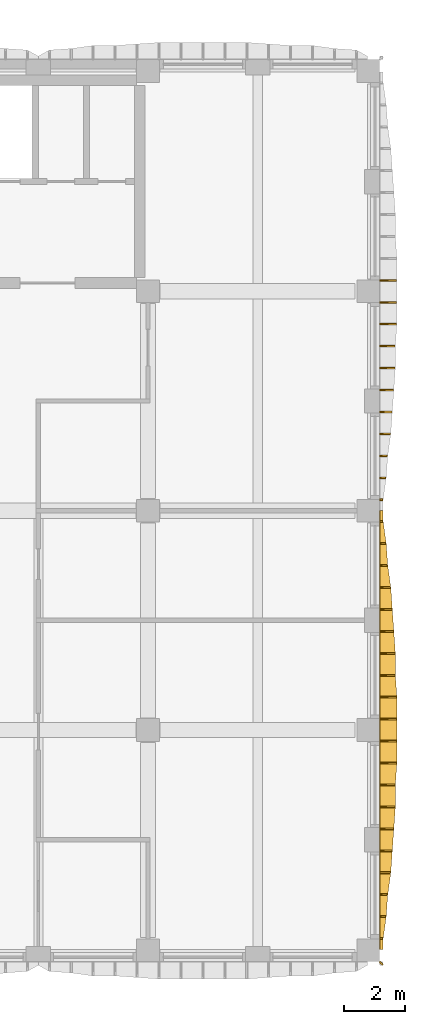
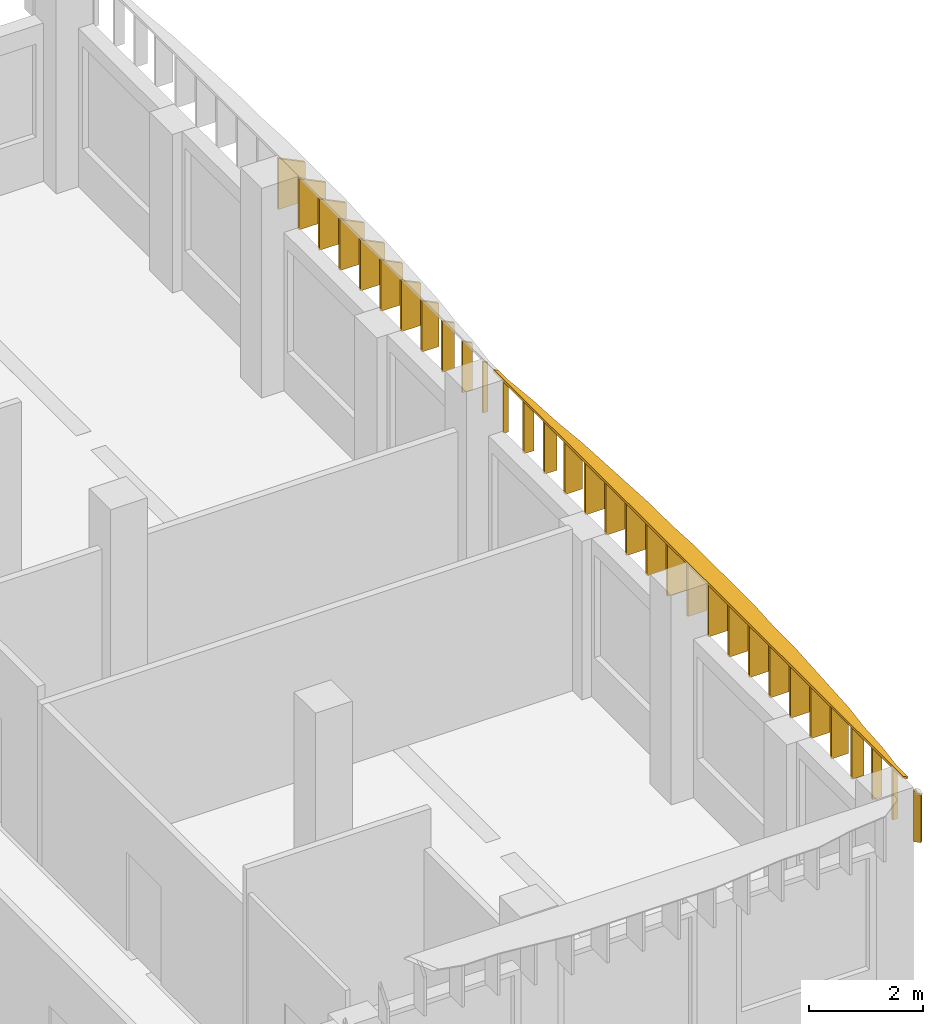
# One storey, part 39 of 58: 33 shading devices.
"""IFC4 building model written with IfcOpenShell, lengths in metres."""

from ifc_helpers import new_model, si_unit, direction, frame, origin, place, context, subcontext, project, spatial, polyline, outline, extrude, material, layer, layer_set, type_object, element, save


model = new_model("IFC4")

# Units and contexts
model_context = context("Model", 3, precision=1e-05, world=origin(), true_north=direction((0.0, 1.0)))
body_context = subcontext(model_context, "Body", "Model", "MODEL_VIEW")
ifc_project = project(units=[si_unit("LENGTHUNIT", "METRE"), si_unit("AREAUNIT", "SQUARE_METRE"), si_unit("VOLUMEUNIT", "CUBIC_METRE"), si_unit("PLANEANGLEUNIT", "RADIAN"), si_unit("MASSUNIT", "GRAM", prefix="KILO")], contexts=[model_context])

# Site, building, storey
site_placement = place(None, origin())
site = spatial("IfcSite", under=ifc_project, at=site_placement, CompositionType="ELEMENT")
building_placement = place(site_placement, origin())
building = spatial("IfcBuilding", under=site, at=building_placement, Name="Ussher Court Research Institute", CompositionType="ELEMENT")
storey_placement = place(building_placement, frame((0.0, 0.0, 9.89990234375)))
storey = spatial("IfcBuildingStorey", under=building, at=storey_placement, Name="L02", CompositionType="ELEMENT", Elevation=9.89990234375)

# Shading devices
ifc_material_1 = material(Name="Bronze anodised aluminium", Category="aluminium")
ifc_layer_1 = layer(ifc_material_1, 0.050048828125)
ifc_layer_set_1 = layer_set([ifc_layer_1], Name="Bronze anodised aluminium")
shading_device_type_1 = type_object("IfcShadingDeviceType", Name="Brim blade 100 mm deep 1100 mm high canted 26 deg wet", PredefinedType="USERDEFINED", material=ifc_layer_set_1)
for number, where, z_axis, x_axis, name in (
    (1, (104.199951171875, 18.760009765625, 3.35009765625), (0.0, 0.0, 1.0), (1.0, 0.0, 0.0), "Brim blade BS10 L02"),
    (2, (104.199951171875, 18.0400390625, 3.35009765625), (0.0, 0.0, 1.0), (1.0, 0.0, 0.0), "Brim blade BS10 L02"),
    (3, (104.199951171875, 4.360107421875, 3.35009765625), (0.0, 0.0, 1.0), (1.0, 0.0, 0.0), "Brim blade BS10 L02"),
):
    element("IfcShadingDevice", number, at=place(storey_placement, frame(where, z_axis=z_axis, x_axis=x_axis)), inside=storey, type_object=shading_device_type_1, Name=name, ObjectType="BLADE", PredefinedType="USERDEFINED", context=body_context, shape_type="SweptSolid", body=[
        extrude(outline(polyline([(0.0, 0.0), (0.10009765625, 0.0), (0.10009765625, 1.05126953125), (0.0, 1.10009765625), (0.0, 0.0)])), frame((0.0, 0.02490234375, 0.0), z_axis=(0.0, -1.0, 0.0), x_axis=(1.0, 0.0, 0.0)), (0.0, 0.0, 1.0), 0.050048828125),
    ])
ifc_material_2 = material(Name="Bronze anodised aluminium", Category="aluminium")
ifc_layer_2 = layer(ifc_material_2, 0.050048828125)
ifc_layer_set_2 = layer_set([ifc_layer_2], Name="Bronze anodised aluminium")
shading_device_type_2 = type_object("IfcShadingDeviceType", Name="Brim blade 200 mm deep 1100 mm high canted 26 deg wet", PredefinedType="USERDEFINED", material=ifc_layer_set_2)
for number, where, z_axis, x_axis, name in (
    (4, (104.199951171875, 19.47998046875, 3.35009765625), (0.0, 0.0, 1.0), (1.0, 0.0, 0.0), "Brim blade BS08 L02"),
    (5, (104.199951171875, 17.320068359375, 3.35009765625), (0.0, 0.0, 1.0), (1.0, 0.0, 0.0), "Brim blade BS08 L02"),
    (6, (104.199951171875, 5.080078125, 3.35009765625), (0.0, 0.0, 1.0), (1.0, 0.0, 0.0), "Brim blade BS08 L02"),
):
    element("IfcShadingDevice", number, at=place(storey_placement, frame(where, z_axis=z_axis, x_axis=x_axis)), inside=storey, type_object=shading_device_type_2, Name=name, ObjectType="BLADE", PredefinedType="USERDEFINED", context=body_context, shape_type="SweptSolid", body=[
        extrude(outline(polyline([(0.0, 0.0), (0.199951171875, 0.0), (0.199951171875, 1.00244140625), (0.0, 1.10009765625), (0.0, 0.0)])), frame((0.0, 0.02490234375, 0.0), z_axis=(0.0, -1.0, 0.0), x_axis=(1.0, 0.0, 0.0)), (0.0, 0.0, 1.0), 0.050048828125),
    ])
ifc_material_3 = material(Name="Bronze anodised aluminium", Category="aluminium")
ifc_layer_3 = layer(ifc_material_3, 0.050048828125)
ifc_layer_set_3 = layer_set([ifc_layer_3], Name="Bronze anodised aluminium")
shading_device_type_3 = type_object("IfcShadingDeviceType", Name="Brim blade 250 mm deep 1100 mm high canted 26 deg wet", PredefinedType="USERDEFINED", material=ifc_layer_set_3)
for number, where, z_axis, x_axis, name in (
    (7, (104.199951171875, 20.199951171875, 3.35009765625), (0.0, 0.0, 1.0), (1.0, 0.0, 0.0), "Brim blade BS07 L02"),
    (8, (104.199951171875, 16.60009765625, 3.35009765625), (0.0, 0.0, 1.0), (1.0, 0.0, 0.0), "Brim blade BS07 L02"),
    (9, (104.199951171875, 5.800048828125, 3.35009765625), (0.0, 0.0, 1.0), (1.0, 0.0, 0.0), "Brim blade BS07 L02"),
):
    element("IfcShadingDevice", number, at=place(storey_placement, frame(where, z_axis=z_axis, x_axis=x_axis)), inside=storey, type_object=shading_device_type_3, Name=name, ObjectType="BLADE", PredefinedType="USERDEFINED", context=body_context, shape_type="SweptSolid", body=[
        extrude(outline(polyline([(0.0, 0.0), (0.25, 0.0), (0.25, 0.97802734375), (0.0, 1.10009765625), (0.0, 0.0)])), frame((0.0, 0.02490234375, 0.0), z_axis=(0.0, -1.0, 0.0), x_axis=(1.0, 0.0, 0.0)), (0.0, 0.0, 1.0), 0.050048828125),
    ])
ifc_material_4 = material(Name="Bronze anodised aluminium", Category="aluminium")
ifc_layer_4 = layer(ifc_material_4, 0.050048828125)
ifc_layer_set_4 = layer_set([ifc_layer_4], Name="Bronze anodised aluminium")
shading_device_type_4 = type_object("IfcShadingDeviceType", Name="Brim blade 350 mm deep 1100 mm high canted 26 deg wet", PredefinedType="USERDEFINED", material=ifc_layer_set_4)
for number, where, z_axis, x_axis, name in (
    (10, (104.199951171875, 20.919921875, 3.35009765625), (0.0, 0.0, 1.0), (1.0, 0.0, 0.0), "Brim blade BS05 L02"),
    (11, (104.199951171875, 15.8798828125, 3.35009765625), (0.0, 0.0, 1.0), (1.0, 0.0, 0.0), "Brim blade BS05 L02"),
    (12, (104.199951171875, 6.52001953125, 3.35009765625), (0.0, 0.0, 1.0), (1.0, 0.0, 0.0), "Brim blade BS05 L02"),
):
    element("IfcShadingDevice", number, at=place(storey_placement, frame(where, z_axis=z_axis, x_axis=x_axis)), inside=storey, type_object=shading_device_type_4, Name=name, ObjectType="BLADE", PredefinedType="USERDEFINED", context=body_context, shape_type="SweptSolid", body=[
        extrude(outline(polyline([(0.0, 0.0), (0.35009765625, 0.0), (0.35009765625, 0.92919921875), (0.0, 1.10009765625), (0.0, 0.0)])), frame((0.0, 0.02490234375, 0.0), z_axis=(0.0, -1.0, 0.0), x_axis=(1.0, 0.0, 0.0)), (0.0, 0.0, 1.0), 0.050048828125),
    ])
ifc_material_5 = material(Name="Bronze anodised aluminium", Category="aluminium")
ifc_layer_5 = layer(ifc_material_5, 0.050048828125)
ifc_layer_set_5 = layer_set([ifc_layer_5], Name="Bronze anodised aluminium")
shading_device_type_5 = type_object("IfcShadingDeviceType", Name="Brim blade 400 mm deep 1100 mm high canted 26 deg wet", PredefinedType="USERDEFINED", material=ifc_layer_set_5)
for number, where, z_axis, x_axis, name in (
    (13, (104.199951171875, 21.639892578125, 3.35009765625), (0.0, 0.0, 1.0), (1.0, 0.0, 0.0), "Brim blade BS04 L02"),
    (14, (104.199951171875, 15.159912109375, 3.35009765625), (0.0, 0.0, 1.0), (1.0, 0.0, 0.0), "Brim blade BS04 L02"),
    (15, (104.199951171875, 7.239990234375, 3.35009765625), (0.0, 0.0, 1.0), (1.0, 0.0, 0.0), "Brim blade BS04 L02"),
):
    element("IfcShadingDevice", number, at=place(storey_placement, frame(where, z_axis=z_axis, x_axis=x_axis)), inside=storey, type_object=shading_device_type_5, Name=name, ObjectType="BLADE", PredefinedType="USERDEFINED", context=body_context, shape_type="SweptSolid", body=[
        extrude(outline(polyline([(0.0, 0.0), (0.400146484375, 0.0), (0.39990234375, 0.90478515625), (0.0, 1.10009765625), (0.0, 0.0)])), frame((0.0, 0.02490234375, 0.0), z_axis=(0.0, -1.0, 0.0), x_axis=(1.0, 0.0, 0.0)), (0.0, 0.0, 1.0), 0.050048828125),
    ])
ifc_material_6 = material(Name="Bronze anodised aluminium", Category="aluminium")
ifc_layer_6 = layer(ifc_material_6, 0.050048828125)
ifc_layer_set_6 = layer_set([ifc_layer_6], Name="Bronze anodised aluminium")
shading_device_type_6 = type_object("IfcShadingDeviceType", Name="Brim blade 450 mm deep 1100 mm high canted 26 deg wet", PredefinedType="USERDEFINED", material=ifc_layer_set_6)
for number, where, z_axis, x_axis, name in (
    (16, (104.199951171875, 22.360107421875, 3.35009765625), (0.0, 0.0, 1.0), (1.0, 0.0, 0.0), "Brim blade BS03 L02"),
    (17, (104.199951171875, 14.43994140625, 3.35009765625), (0.0, 0.0, 1.0), (1.0, 0.0, 0.0), "Brim blade BS03 L02"),
    (18, (104.199951171875, 7.9599609375, 3.35009765625), (0.0, 0.0, 1.0), (1.0, 0.0, 0.0), "Brim blade BS03 L02"),
):
    element("IfcShadingDevice", number, at=place(storey_placement, frame(where, z_axis=z_axis, x_axis=x_axis)), inside=storey, type_object=shading_device_type_6, Name=name, ObjectType="BLADE", PredefinedType="USERDEFINED", context=body_context, shape_type="SweptSolid", body=[
        extrude(outline(polyline([(0.0, 0.0), (0.449951171875, 0.0), (0.449951171875, 0.880615234375), (0.0, 1.10009765625), (0.0, 0.0)])), frame((0.0, 0.02490234375, 0.0), z_axis=(0.0, -1.0, 0.0), x_axis=(1.0, 0.0, 0.0)), (0.0, 0.0, 1.0), 0.050048828125),
    ])
ifc_material_7 = material(Name="Bronze anodised aluminium", Category="aluminium")
ifc_layer_7 = layer(ifc_material_7, 0.050048828125)
ifc_layer_set_7 = layer_set([ifc_layer_7], Name="Bronze anodised aluminium")
shading_device_type_7 = type_object("IfcShadingDeviceType", Name="Brim blade 500 mm deep 1100 mm high canted 26 deg wet", PredefinedType="USERDEFINED", material=ifc_layer_set_7)
for number, where, z_axis, x_axis, name in (
    (19, (104.199951171875, 23.800048828125, 3.35009765625), (0.0, 0.0, 1.0), (1.0, 0.0, 0.0), "Brim blade BS02 L02"),
    (20, (104.199951171875, 23.080078125, 3.35009765625), (0.0, 0.0, 1.0), (1.0, 0.0, 0.0), "Brim blade BS02 L02"),
    (21, (104.199951171875, 13.719970703125, 3.35009765625), (0.0, 0.0, 1.0), (1.0, 0.0, 0.0), "Brim blade BS02 L02"),
    (22, (104.199951171875, 13.0, 3.35009765625), (0.0, 0.0, 1.0), (1.0, 0.0, 0.0), "Brim blade BS02 L02"),
    (23, (104.199951171875, 9.39990234375, 3.35009765625), (0.0, 0.0, 1.0), (1.0, 0.0, 0.0), "Brim blade BS02 L02"),
    (24, (104.199951171875, 8.679931640625, 3.35009765625), (0.0, 0.0, 1.0), (1.0, 0.0, 0.0), "Brim blade BS02 L02"),
):
    element("IfcShadingDevice", number, at=place(storey_placement, frame(where, z_axis=z_axis, x_axis=x_axis)), inside=storey, type_object=shading_device_type_7, Name=name, ObjectType="BLADE", PredefinedType="USERDEFINED", context=body_context, shape_type="SweptSolid", body=[
        extrude(outline(polyline([(0.0, 0.0), (0.5, 0.0), (0.5, 0.856201171875), (0.0, 1.10009765625), (0.0, 0.0)])), frame((0.0, 0.02490234375, 0.0), z_axis=(0.0, -1.0, 0.0), x_axis=(1.0, 0.0, 0.0)), (0.0, 0.0, 1.0), 0.050048828125),
    ])
ifc_material_8 = material(Name="Bronze anodised aluminium", Category="aluminium")
ifc_layer_8 = layer(ifc_material_8, 0.050048828125)
ifc_layer_set_8 = layer_set([ifc_layer_8], Name="Bronze anodised aluminium")
shading_device_type_8 = type_object("IfcShadingDeviceType", Name="Brim blade 550 mm deep 1100 mm high canted 26 deg wet", PredefinedType="USERDEFINED", material=ifc_layer_set_8)
for number, where, z_axis, x_axis, name in (
    (25, (104.199951171875, 25.9599609375, 3.35009765625), (0.0, 0.0, 1.0), (1.0, 0.0, 0.0), "Brim blade BS01 L02"),
    (26, (104.199951171875, 25.239990234375, 3.35009765625), (0.0, 0.0, 1.0), (1.0, 0.0, 0.0), "Brim blade BS01 L02"),
    (27, (104.199951171875, 24.52001953125, 3.35009765625), (0.0, 0.0, 1.0), (1.0, 0.0, 0.0), "Brim blade BS01 L02"),
    (28, (104.199951171875, 12.280029296875, 3.35009765625), (0.0, 0.0, 1.0), (1.0, 0.0, 0.0), "Brim blade BS01 L02"),
    (29, (104.199951171875, 11.56005859375, 3.35009765625), (0.0, 0.0, 1.0), (1.0, 0.0, 0.0), "Brim blade BS01 L02"),
    (30, (104.199951171875, 10.840087890625, 3.35009765625), (0.0, 0.0, 1.0), (1.0, 0.0, 0.0), "Brim blade BS01 L02"),
    (31, (104.199951171875, 10.1201171875, 3.35009765625), (0.0, 0.0, 1.0), (1.0, 0.0, 0.0), "Brim blade BS01 L02"),
):
    element("IfcShadingDevice", number, at=place(storey_placement, frame(where, z_axis=z_axis, x_axis=x_axis)), inside=storey, type_object=shading_device_type_8, Name=name, ObjectType="BLADE", PredefinedType="USERDEFINED", context=body_context, shape_type="SweptSolid", body=[
        extrude(outline(polyline([(0.0, 0.0), (0.550048828125, 0.0), (0.550048828125, 0.831787109375), (0.0, 1.10009765625), (0.0, 0.0)])), frame((0.0, 0.02490234375, 0.0), z_axis=(0.0, -1.0, 0.0), x_axis=(1.0, 0.0, 0.0)), (0.0, 0.0, 1.0), 0.050048828125),
    ])
ifc_material_9 = material(Name="Bronze anodised aluminium", Category="aluminium")
ifc_layer_9 = layer(ifc_material_9, 0.050048828125)
ifc_layer_set_9 = layer_set([ifc_layer_9], Name="Bronze anodised aluminium")
shading_device_type_9 = type_object("IfcShadingDeviceType", Name="Brim mitre blade 100 mm deep 1100 mm high canted 26 deg wet", PredefinedType="USERDEFINED", material=ifc_layer_set_9)
shading_device_1_placement = place(storey_placement, frame((104.199951171875, 3.60009765625, 3.35009765625), z_axis=(0.0, 0.0, 1.0), x_axis=(0.707106781187, -0.707106781187, 0.0)))
element("IfcShadingDevice", 32, at=shading_device_1_placement, inside=storey, type_object=shading_device_type_9, Name="Brim mitre blade BS18 L02", ObjectType="BLADE", PredefinedType="USERDEFINED", context=body_context, shape_type="SweptSolid", body=[
    extrude(outline(polyline([(0.0, 0.0), (0.1416015625, 0.0), (0.141357421875, 1.00244140625), (0.0, 1.10009765625), (0.0, 0.0)])), frame((0.0, 0.02490234375, 0.0), z_axis=(0.0, -1.0, 0.0), x_axis=(1.0, 0.0, 0.0)), (0.0, 0.0, 1.0), 0.050048828125),
])
ifc_material_10 = material(Name="Bronze anodised aluminium", Category="aluminium")
ifc_layer_10 = layer(ifc_material_10, 0.0400390625)
ifc_layer_set_10 = layer_set([ifc_layer_10], Name="Bronze anodised aluminium")
shading_device_type_10 = type_object("IfcShadingDeviceType", Name="Brim visor sheet 40 mm canted 26 deg wet", PredefinedType="USERDEFINED", material=ifc_layer_set_10)
shading_device_2_placement = place(storey_placement, frame((104.217529296875, 18.39990234375, 4.486083984375), z_axis=(0.438529187419, 0.0, 0.898716947532), x_axis=(0.0, -1.0, 0.0)))
element("IfcShadingDevice", 33, at=shading_device_2_placement, inside=storey, type_object=shading_device_type_10, Name="Brim visor sheet BR1 L02", ObjectType="BRIM", PredefinedType="USERDEFINED", context=body_context, shape_type="SweptSolid", body=[
    extrude(outline(polyline([(0.0, 0.0), (14.39990234375, 0.0), (14.39990234375, 0.11115260474230423), (14.039794921875, 0.11115260474230423), (13.31982421875, 0.22252462280187707), (12.599853515625, 0.2782106318316635), (11.8798828125, 0.38936323657396776), (11.159912109375, 0.4449421828138569), (10.43994140625, 0.5006281918436433), (9.719970703125, 0.5563142008734296), (9.0, 0.5563142008734296), (8.27978515625, 0.6120002099032161), (7.559814453125, 0.6120002099032161), (6.83984375, 0.6120002099032161), (6.119873046875, 0.6120002099032161), (5.39990234375, 0.5563142008734296), (4.679931640625, 0.5563142008734296), (3.9599609375, 0.5006281918436433), (3.239990234375, 0.4449421828138569), (2.52001953125, 0.38936323657396776), (1.7998046875, 0.2782106318316635), (1.079833984375, 0.22252462280187707), (0.35986328125, 0.11115260474230423), (0.0, 0.11115260474230423), (0.0, 0.0)])), origin(), (0.0, 0.0, -1.0), 0.0400390625),
])

save(model, "model.ifc")
